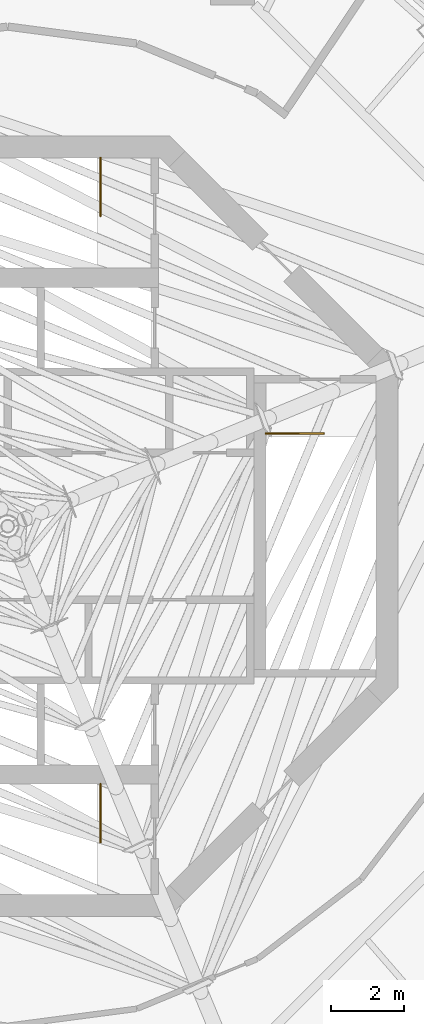
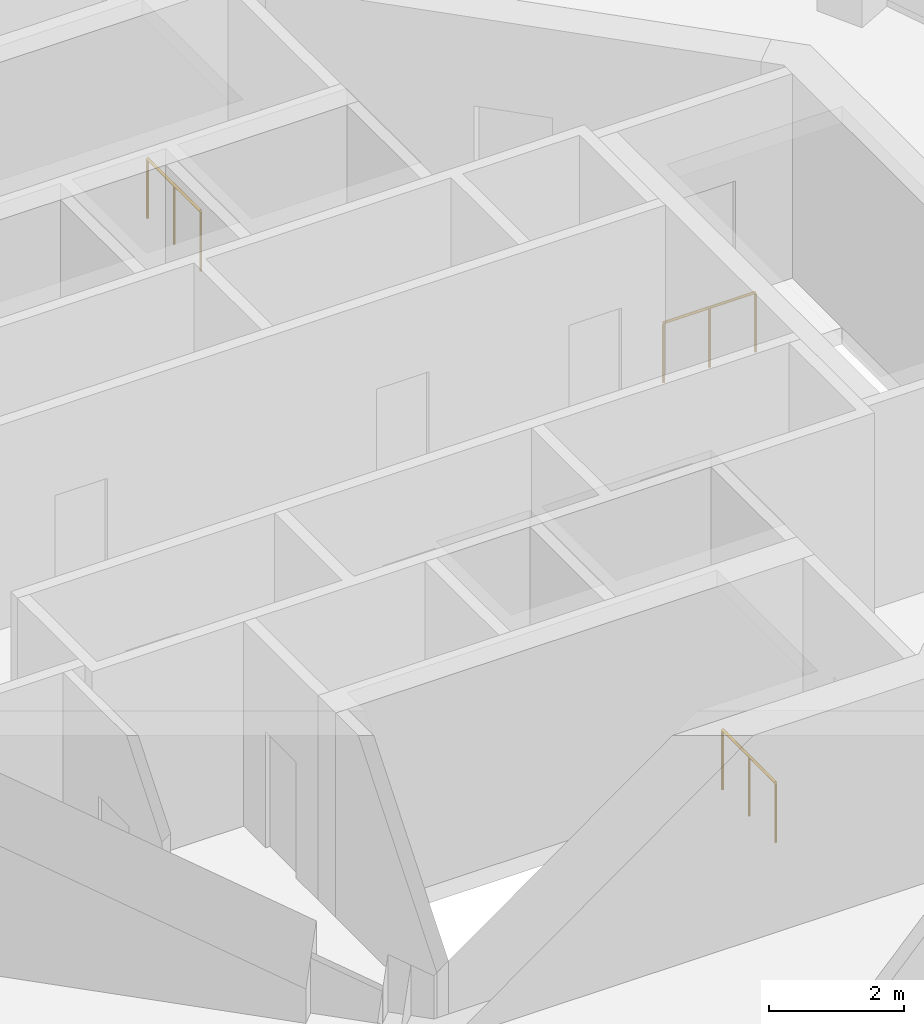
# One storey, part 25 of 25: 3 railings.
"""IFC4 building model written with IfcOpenShell, lengths in metres."""

from ifc_helpers import new_model, si_unit, direction, frame, origin, origin_2d, place, context, subcontext, project, spatial, circle, extrude, material, type_object, element, save


model = new_model("IFC4")

# Units and contexts
model_context = context("Model", 3, precision=1e-05, world=origin(), true_north=direction((0.0, 1.0)))
body_context = subcontext(model_context, "Body", "Model", "MODEL_VIEW")
ifc_project = project(units=[si_unit("LENGTHUNIT", "METRE"), si_unit("AREAUNIT", "SQUARE_METRE"), si_unit("VOLUMEUNIT", "CUBIC_METRE"), si_unit("PLANEANGLEUNIT", "RADIAN"), si_unit("MASSUNIT", "GRAM", prefix="KILO")], contexts=[model_context])

# Site, building, storey
site_placement = place(None, origin())
site = spatial("IfcSite", under=ifc_project, at=site_placement, CompositionType="ELEMENT")
building_placement = place(site_placement, origin())
building = spatial("IfcBuilding", under=site, at=building_placement, Name="Nagisa Residences", CompositionType="ELEMENT")
storey_placement = place(building_placement, frame((0.0, 0.0, 340.89990234375)))
storey = spatial("IfcBuildingStorey", under=building, at=storey_placement, Name="L84", CompositionType="ELEMENT", Elevation=340.89990234375)

# Railings
ifc_material = material(Name="Stainless steel", Category="steel")
railing_type = type_object("IfcRailingType", Name="Stair guard 1100", PredefinedType="GUARDRAIL", material=ifc_material)
railing_placement = place(storey_placement, frame((7.024658203125, 2.52490234375, 0.0)))
element("IfcRailing", 1, at=railing_placement, inside=storey, type_object=railing_type, Name="L84 ST-E top well guard 1", PredefinedType="GUARDRAIL", context=body_context, shape_type="SweptSolid", body=[
    extrude(circle(Radius=0.02392578125, at=origin_2d()), frame((0.0, 0.0, 1.076171875), z_axis=(1.0, 0.0, 0.0), x_axis=(0.0, 1.0, 0.0)), (0.0, 0.0, 1.0), 1.574951171875),
    extrude(circle(Radius=0.02099609375, at=origin_2d()), origin(), (0.0, 0.0, 1.0), 1.052001953125),
    extrude(circle(Radius=0.02099609375, at=origin_2d()), frame((0.78759765625, 0.0, 0.0)), (0.0, 0.0, 1.0), 1.052001953125),
    extrude(circle(Radius=0.02099609375, at=origin_2d()), frame((1.574951171875, 0.0, 0.0)), (0.0, 0.0, 1.0), 1.052001953125),
])
for number, where, name in (
    (2, (2.52490234375, 10.024658203125, 0.0), "L84 ST-N top well guard 1"),
    (3, (2.52490234375, -7.024658203125, 0.0), "L84 ST-S top well guard 1"),
):
    element("IfcRailing", number, at=place(storey_placement, frame(where)), inside=storey, type_object=railing_type, Name=name, PredefinedType="GUARDRAIL", context=body_context, shape_type="SweptSolid", body=[
        extrude(circle(Radius=0.02392578125, at=origin_2d()), frame((0.0, 0.0, 1.076171875), z_axis=(0.0, -1.0, 0.0), x_axis=(1.0, 0.0, 0.0)), (0.0, 0.0, 1.0), 1.574951171875),
        extrude(circle(Radius=0.02099609375, at=origin_2d()), origin(), (0.0, 0.0, 1.0), 1.052001953125),
        extrude(circle(Radius=0.02099609375, at=origin_2d()), frame((0.0, -0.78759765625, 0.0)), (0.0, 0.0, 1.0), 1.052001953125),
        extrude(circle(Radius=0.02099609375, at=origin_2d()), frame((0.0, -1.574951171875, 0.0)), (0.0, 0.0, 1.0), 1.052001953125),
    ])

save(model, "model.ifc")
